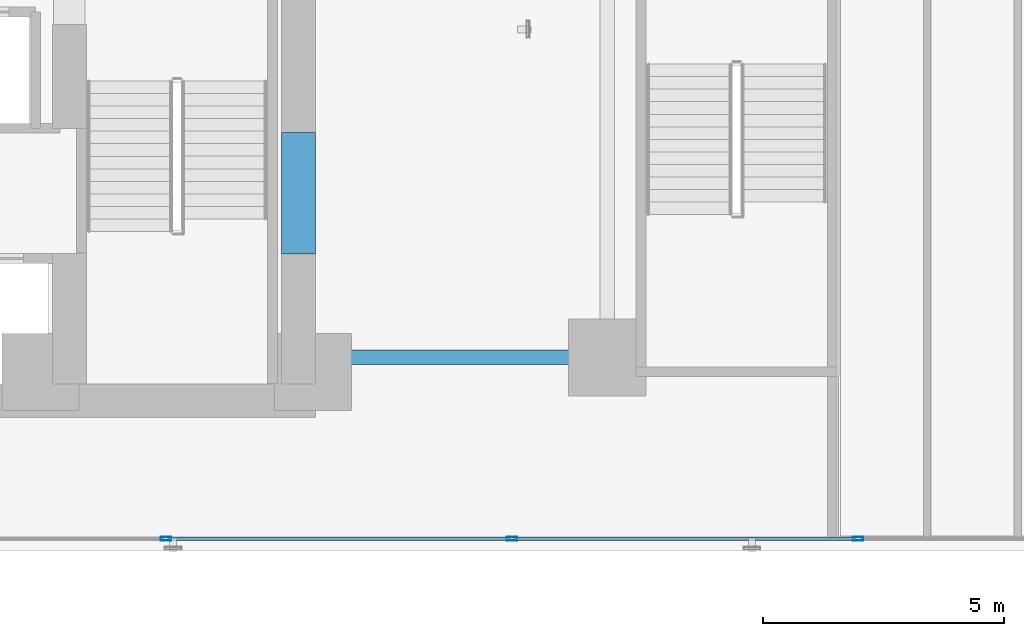
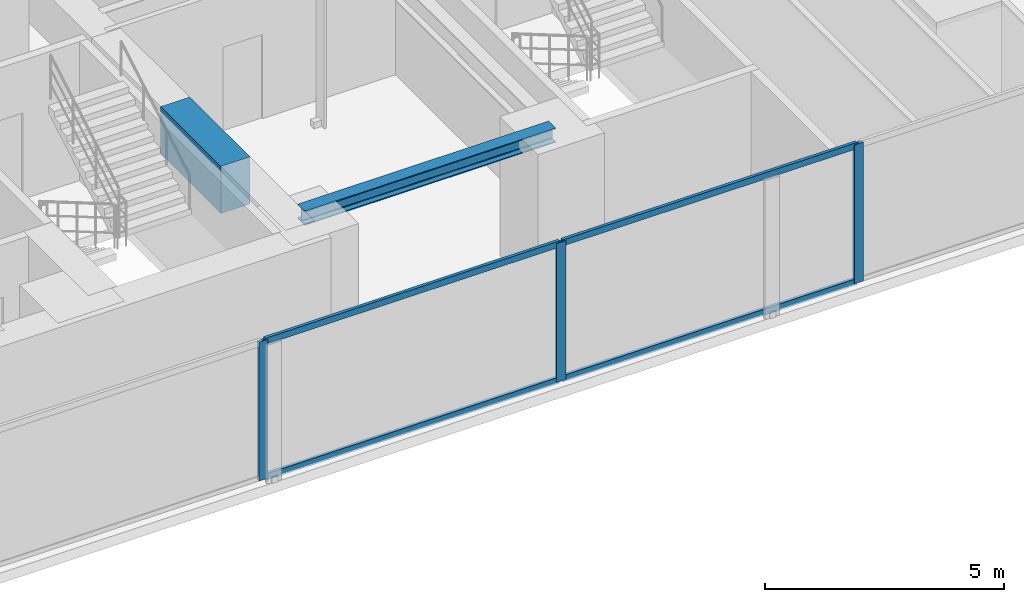
# One storey, part 4 of 28: 7 members, 2 beams, 1 element without a shape of its own.
"""IFC4 building model written with IfcOpenShell, lengths in metres."""

from ifc_helpers import new_model, si_unit, direction, frame, origin, origin_with_axes, origin_2d, place, context, subcontext, project, spatial, rectangle, hollow_rectangle, i_section, extrude, source, transform, mapped, material, layer, layer_set, material_profile, profile_set, type_object, element, aggregate, save


model = new_model("IFC4")

# Units and contexts
model_context = context("Model", 3, precision=1e-05, world=origin(), true_north=direction((0.0, 1.0)))
body_context = subcontext(model_context, "Body", "Model", "MODEL_VIEW")
ifc_project = project(units=[si_unit("LENGTHUNIT", "METRE"), si_unit("AREAUNIT", "SQUARE_METRE"), si_unit("VOLUMEUNIT", "CUBIC_METRE"), si_unit("PLANEANGLEUNIT", "RADIAN"), si_unit("MASSUNIT", "GRAM", prefix="KILO")], contexts=[model_context])

# Site, building, storey
site_placement = place(None, origin())
site = spatial("IfcSite", under=ifc_project, at=site_placement, CompositionType="ELEMENT")
building_placement = place(site_placement, origin())
building = spatial("IfcBuilding", under=site, at=building_placement, Name="Kolvaren Waterfront Exchange", CompositionType="ELEMENT")
storey_placement = place(building_placement, frame((0.0, 0.0, 41.0)))
storey = spatial("IfcBuildingStorey", under=building, at=storey_placement, Name="L10", CompositionType="ELEMENT", Elevation=41.0)

# Beams
ifc_material_1 = material(Name="Steel S355", Category="steel")
ifc_material_profile_1 = material_profile(ifc_material_1, i_section(OverallWidth=0.300048828125, OverallDepth=0.360107421875, WebThickness=0.012451171875, FlangeThickness=0.0224609375, FilletRadius=0.027099609375, at=origin_2d()), Name="HEB360")
ifc_profile_set_1 = profile_set([ifc_material_profile_1], Name="Steel S355")
beam_type_1 = type_object("IfcBeamType", Name="STR-BM-HEB360", PredefinedType="SPANDREL", material=ifc_profile_set_1)
beam_1_placement = place(storey_placement, frame((21.14990234375, 5.199951171875, 3.360107421875), z_axis=(1.0, 0.0, 0.0), x_axis=(0.0, 1.0, 0.0)))
element("IfcBeam", 1, at=beam_1_placement, inside=storey, type_object=beam_type_1, Name="L10 east-arm spandrel S1", PredefinedType="SPANDREL", context=body_context, shape_type="SweptSolid", body=[
    extrude(i_section(OverallWidth=0.300048828125, OverallDepth=0.360107421875, WebThickness=0.012451171875, FlangeThickness=0.0224609375, FilletRadius=0.027099609375, at=origin_2d()), origin(), (0.0, 0.0, 1.0), 6.050048828125),
])
ifc_material_2 = material(Name="Concrete C70/85", Category="concrete")
ifc_material_profile_2 = material_profile(ifc_material_2, rectangle(XDim=0.699951171875, YDim=1.199951171875, at=origin_2d()), Name="RC-CB-1200x700")
ifc_profile_set_2 = profile_set([ifc_material_profile_2], Name="Concrete C70/85")
beam_type_2 = type_object("IfcBeamType", Name="STR-CB-1200", PredefinedType="SPANDREL", material=ifc_profile_set_2)
beam_2_placement = place(storey_placement, frame((20.800048828125, 7.340087890625, 2.93994140625), z_axis=(0.0, 1.0, 0.0), x_axis=(-1.0, 0.0, 0.0)))
element("IfcBeam", 2, at=beam_2_placement, inside=storey, type_object=beam_type_2, Name="L10 core coupling beam 1", PredefinedType="SPANDREL", context=body_context, shape_type="SweptSolid", body=[
    extrude(rectangle(XDim=0.699951171875, YDim=1.199951171875, at=origin_2d()), origin(), (0.0, 0.0, 1.0), 2.52001953125),
])

# Curtain wall, members
ifc_material_3 = material(Name="Anodised bronze aluminium 6063-T6", Category="aluminium")
ifc_layer = layer(ifc_material_3, 0.219970703125, Name="Anodised bronze aluminium 6063-T6")
ifc_layer_set = layer_set([ifc_layer], Name="Anodised bronze aluminium 6063-T6")
curtain_wall_type = type_object("IfcCurtainWallType", Name="ARC-CW-SYS1", PredefinedType="USERDEFINED", material=ifc_layer_set)
curtain_wall_placement = place(storey_placement, origin())
curtain_wall = element("IfcCurtainWall", 3, at=curtain_wall_placement, inside=storey, type_object=curtain_wall_type, Name="L10 stick curtain wall CW1 (CW-L10-S)", ObjectType="STICK CURTAIN WALL", PredefinedType="USERDEFINED")
ifc_material_4 = material(Name="Anodised aluminium 6063-T6", Category="aluminium")
ifc_material_profile_3 = material_profile(ifc_material_4, hollow_rectangle(XDim=0.074951171875, YDim=0.159912109375, WallThickness=0.00439453125, at=origin_2d()), Name="ALU-TRN-160x75x4.5")
ifc_profile_set_3 = profile_set([ifc_material_profile_3], Name="Anodised aluminium 6063-T6")
member_type_1 = type_object("IfcMemberType", Name="ARC-CWT-160", PredefinedType="USERDEFINED", material=ifc_profile_set_3)
shared_shape_1 = source(origin_with_axes(), body_context, "Body", "SweptSolid", [
    extrude(hollow_rectangle(XDim=0.074951171875, YDim=0.159912109375, WallThickness=0.00439453125, at=origin_2d()), origin(), (0.0, 0.0, 1.0), 7.094970703125),
])
member_1_placement = place(storey_placement, frame((18.090087890625, 1.43994140625, 0.03759765625), z_axis=(1.0, 0.0, 0.0), x_axis=(0.0, 1.0, 0.0)))
member_1 = element("IfcMember", 4, at=member_1_placement, type_object=member_type_1, Name="CW1 transom 3.1", ObjectType="TRANSOM", PredefinedType="USERDEFINED", context=body_context, shape_type="MappedRepresentation", body=[
    mapped(shared_shape_1, transform((0.0, 0.0, 0.0), x_axis=(1.0, 0.0, 0.0), y_axis=(0.0, 1.0, 0.0), z_axis=(0.0, 0.0, 1.0), scale=1.0)),
])
member_2_placement = place(storey_placement, frame((18.090087890625, 1.43994140625, 3.50244140625), z_axis=(1.0, 0.0, 0.0), x_axis=(0.0, 1.0, 0.0)))
member_2 = element("IfcMember", 5, at=member_2_placement, type_object=member_type_1, Name="CW1 transom 3.2", ObjectType="TRANSOM", PredefinedType="USERDEFINED", context=body_context, shape_type="MappedRepresentation", body=[
    mapped(shared_shape_1, transform((0.0, 0.0, 0.0), x_axis=(1.0, 0.0, 0.0), y_axis=(0.0, 1.0, 0.0), z_axis=(0.0, 0.0, 1.0), scale=1.0)),
])
shared_shape_2 = source(origin_with_axes(), body_context, "Body", "SweptSolid", [
    extrude(hollow_rectangle(XDim=0.074951171875, YDim=0.159912109375, WallThickness=0.00439453125, at=origin_2d()), origin(), (0.0, 0.0, 1.0), 7.09521484375),
])
member_3_placement = place(storey_placement, frame((25.264892578125, 1.43994140625, 0.03759765625), z_axis=(1.0, 0.0, 0.0), x_axis=(0.0, 1.0, 0.0)))
member_3 = element("IfcMember", 6, at=member_3_placement, type_object=member_type_1, Name="CW1 transom 4.1", ObjectType="TRANSOM", PredefinedType="USERDEFINED", context=body_context, shape_type="MappedRepresentation", body=[
    mapped(shared_shape_2, transform((0.0, 0.0, 0.0), x_axis=(1.0, 0.0, 0.0), y_axis=(0.0, 1.0, 0.0), z_axis=(0.0, 0.0, 1.0), scale=1.0)),
])
member_4_placement = place(storey_placement, frame((25.264892578125, 1.43994140625, 3.50244140625), z_axis=(1.0, 0.0, 0.0), x_axis=(0.0, 1.0, 0.0)))
member_4 = element("IfcMember", 7, at=member_4_placement, type_object=member_type_1, Name="CW1 transom 4.2", ObjectType="TRANSOM", PredefinedType="USERDEFINED", context=body_context, shape_type="MappedRepresentation", body=[
    mapped(shared_shape_2, transform((0.0, 0.0, 0.0), x_axis=(1.0, 0.0, 0.0), y_axis=(0.0, 1.0, 0.0), z_axis=(0.0, 0.0, 1.0), scale=1.0)),
])
ifc_material_profile_4 = material_profile(ifc_material_4, hollow_rectangle(XDim=0.080078125, YDim=0.219970703125, WallThickness=0.0048828125, at=origin_2d()), Name="ALU-MUL-220x80x5")
ifc_profile_set_4 = profile_set([ifc_material_profile_4], Name="Anodised aluminium 6063-T6")
member_type_2 = type_object("IfcMemberType", Name="ARC-CWM-220", PredefinedType="MULLION", material=ifc_profile_set_4)
shared_shape_3 = source(origin_with_axes(), body_context, "Body", "SweptSolid", [
    extrude(hollow_rectangle(XDim=0.080078125, YDim=0.219970703125, WallThickness=0.0048828125, at=origin_2d()), origin(), (0.0, 0.0, 1.0), 3.5400390625),
])
member_5_placement = place(storey_placement, frame((18.050048828125, 1.43994140625, 0.0), z_axis=(0.0, 0.0, 1.0), x_axis=(0.0, 1.0, 0.0)))
member_5 = element("IfcMember", 8, at=member_5_placement, type_object=member_type_2, Name="CW1 mullion 3", PredefinedType="MULLION", context=body_context, shape_type="MappedRepresentation", body=[
    mapped(shared_shape_3, transform((0.0, 0.0, 0.0), x_axis=(1.0, 0.0, 0.0), y_axis=(0.0, 1.0, 0.0), z_axis=(0.0, 0.0, 1.0), scale=1.0)),
])
member_6_placement = place(storey_placement, frame((25.22509765625, 1.43994140625, 0.0), z_axis=(0.0, 0.0, 1.0), x_axis=(0.0, 1.0, 0.0)))
member_6 = element("IfcMember", 9, at=member_6_placement, type_object=member_type_2, Name="CW1 mullion 4", PredefinedType="MULLION", context=body_context, shape_type="MappedRepresentation", body=[
    mapped(shared_shape_3, transform((0.0, 0.0, 0.0), x_axis=(1.0, 0.0, 0.0), y_axis=(0.0, 1.0, 0.0), z_axis=(0.0, 0.0, 1.0), scale=1.0)),
])
member_7_placement = place(storey_placement, frame((32.39990234375, 1.43994140625, 0.0), z_axis=(0.0, 0.0, 1.0), x_axis=(0.0, 1.0, 0.0)))
member_7 = element("IfcMember", 10, at=member_7_placement, type_object=member_type_2, Name="CW1 mullion 5", PredefinedType="MULLION", context=body_context, shape_type="MappedRepresentation", body=[
    mapped(shared_shape_3, transform((0.0, 0.0, 0.0), x_axis=(1.0, 0.0, 0.0), y_axis=(0.0, 1.0, 0.0), z_axis=(0.0, 0.0, 1.0), scale=1.0)),
])
aggregate(curtain_wall, [member_5, member_6, member_7, member_1, member_2, member_3, member_4])

save(model, "model.ifc")
